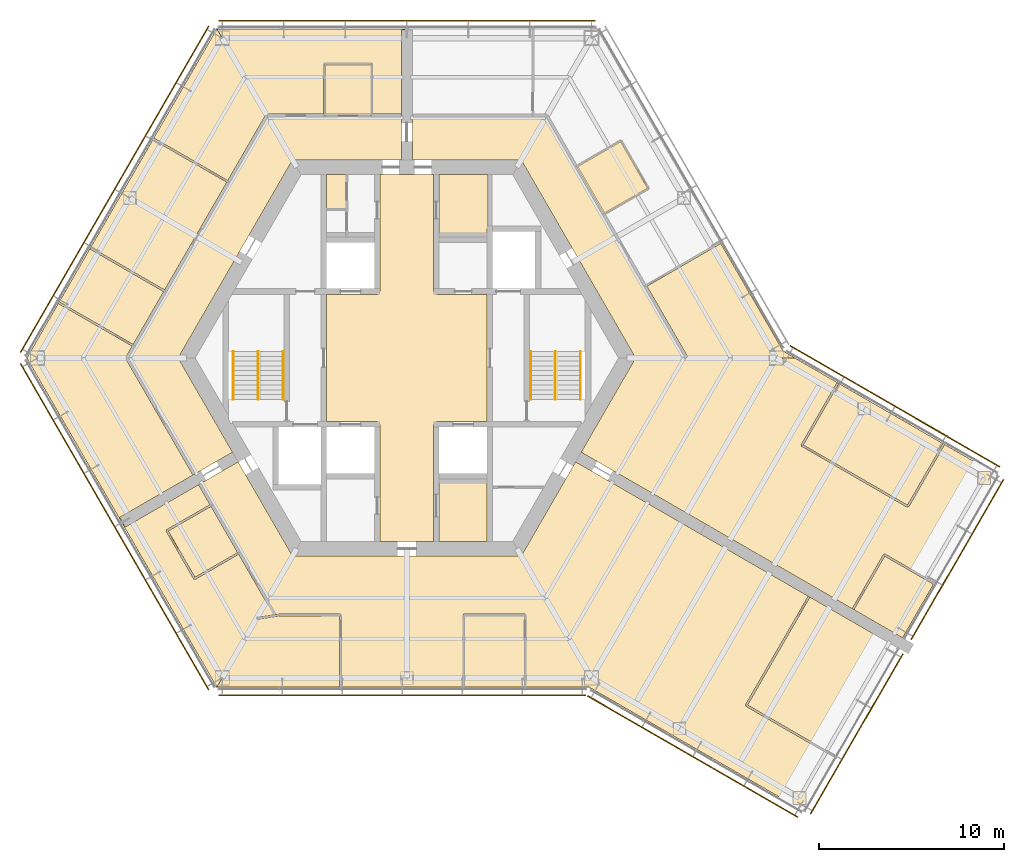
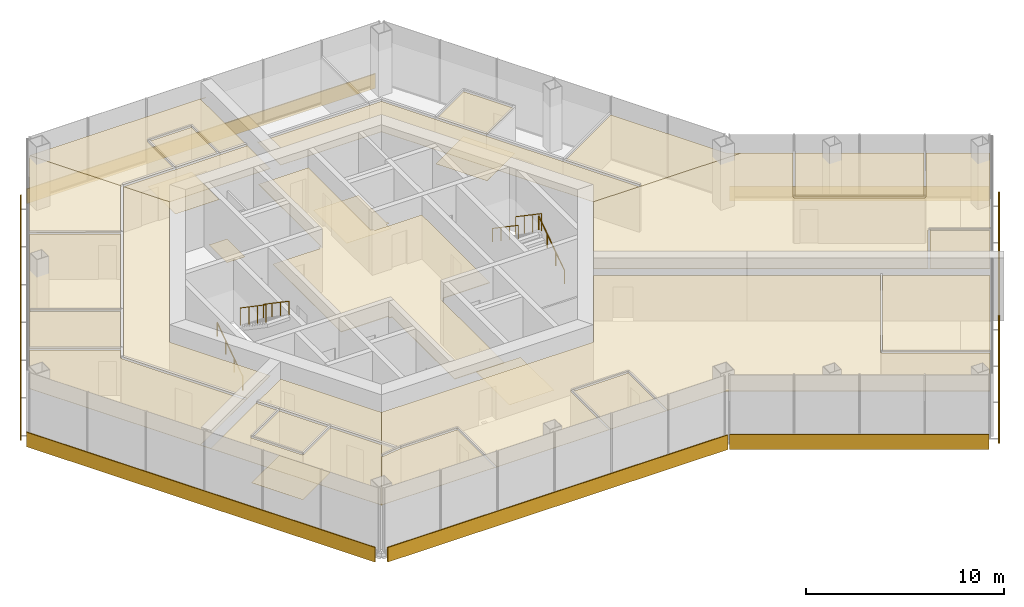
# One storey, part 15 of 16: 28 coverings, 8 shading devices, 6 railings.
"""IFC4 building model written with IfcOpenShell, lengths in metres."""

from ifc_helpers import new_model, si_unit, direction, frame, origin, origin_2d, place, context, subcontext, project, spatial, polyline, rectangle, circle, outline, extrude, material, layer, layer_set, type_object, element, save


model = new_model("IFC4")

# Units and contexts
model_context = context("Model", 3, precision=1e-05, world=origin(), true_north=direction((0.0, 1.0)))
body_context = subcontext(model_context, "Body", "Model", "MODEL_VIEW")
ifc_project = project(units=[si_unit("LENGTHUNIT", "METRE"), si_unit("AREAUNIT", "SQUARE_METRE"), si_unit("VOLUMEUNIT", "CUBIC_METRE"), si_unit("PLANEANGLEUNIT", "RADIAN"), si_unit("MASSUNIT", "GRAM", prefix="KILO")], contexts=[model_context])

# Site, building, storey
site_placement = place(None, origin())
site = spatial("IfcSite", under=ifc_project, at=site_placement, CompositionType="ELEMENT")
building_placement = place(site_placement, origin())
building = spatial("IfcBuilding", under=site, at=building_placement, Name="Kasaneha Research Tower", CompositionType="ELEMENT")
storey_placement = place(building_placement, frame((0.0, 0.0, 259.60009765625)))
storey = spatial("IfcBuildingStorey", under=building, at=storey_placement, Name="L65", CompositionType="ELEMENT", Elevation=259.60009765625)

# Covering
ifc_material_1 = material(Name="Aluminium panel ceiling", Category="aluminium")
ifc_layer_1 = layer(ifc_material_1, 0.0400390625)
ifc_layer_set_1 = layer_set([ifc_layer_1], Name="Lift lobby ceiling 40")
covering_type_1 = type_object("IfcCoveringType", Name="Lift lobby ceiling 40", PredefinedType="CEILING", material=ifc_layer_set_1)
covering_1_placement = place(storey_placement, frame((0.0, 0.0, 2.699951171875)))
element("IfcCovering", 1, at=covering_1_placement, inside=storey, type_object=covering_type_1, Name="Ceiling L65-01", PredefinedType="CEILING", context=body_context, shape_type="SweptSolid", body=[
    extrude(outline(polyline([(1.449951171875, 9.925048828125), (1.449951171875, 3.60009765625), (1.60009765625, 3.60009765625), (1.60009765625, 3.449951171875), (4.35009765625, 3.449951171875), (4.35009765625, -3.449951171875), (1.60009765625, -3.449951171875), (1.60009765625, -3.60009765625), (1.449951171875, -3.60009765625), (1.449951171875, -9.925048828125), (-1.449951171875, -9.925048828125), (-1.449951171875, -3.60009765625), (-1.60009765625, -3.60009765625), (-1.60009765625, -3.449951171875), (-4.35009765625, -3.449951171875), (-4.35009765625, 3.449951171875), (-1.60009765625, 3.449951171875), (-1.60009765625, 3.60009765625), (-1.449951171875, 3.60009765625), (-1.449951171875, 9.925048828125), (1.449951171875, 9.925048828125)])), origin(), (0.0, 0.0, 1.0), 0.0400390625),
])

# Railings
ifc_material_2 = material(Name="Steel", Category="steel")
railing_type_1 = type_object("IfcRailingType", Name="Stair balustrade 1100", PredefinedType="GUARDRAIL", material=ifc_material_2)
for number, where, name in (
    (2, (8.050048828125, 0.35009765625, 2.127197265625), "Stair 1 balustrade L65"),
    (3, (-8.050048828125, 0.35009765625, 2.127197265625), "Stair 2 balustrade L65"),
):
    element("IfcRailing", number, at=place(storey_placement, frame(where)), inside=storey, type_object=railing_type_1, Name=name, PredefinedType="GUARDRAIL", context=body_context, shape_type="SweptSolid", body=[
        extrude(circle(Radius=0.02392578125, at=origin_2d()), frame((0.0, 0.0, 1.076171875), z_axis=(0.0, -0.826240473404, 0.563317565952), x_axis=(1.0, 0.0, 0.0)), (0.0, 0.0, 1.0), 3.14697265625),
        extrude(circle(Radius=0.02099609375, at=origin_2d()), origin(), (0.0, 0.0, 1.0), 1.052001953125),
        extrude(circle(Radius=0.02099609375, at=origin_2d()), frame((0.0, -0.86669921875, 0.5908203125)), (0.0, 0.0, 1.0), 1.052001953125),
        extrude(circle(Radius=0.02099609375, at=origin_2d()), frame((0.0, -1.7333984375, 1.181884765625)), (0.0, 0.0, 1.0), 1.052001953125),
        extrude(circle(Radius=0.02099609375, at=origin_2d()), frame((0.0, -2.60009765625, 1.772705078125)), (0.0, 0.0, 1.0), 1.052001953125),
    ])
ifc_material_3 = material(Name="Steel", Category="steel")
railing_type_2 = type_object("IfcRailingType", Name="Stair handrail 850", PredefinedType="HANDRAIL", material=ifc_material_3)
railing_1_placement = place(storey_placement, frame((9.39990234375, -2.25, 0.17724609375)))
element("IfcRailing", 4, at=railing_1_placement, inside=storey, type_object=railing_type_2, Name="Stair 1 handrail L65", PredefinedType="HANDRAIL", context=body_context, shape_type="SweptSolid", body=[
    extrude(circle(Radius=0.02392578125, at=origin_2d()), frame((0.0, 0.0, 0.826171875), z_axis=(0.0, 0.826240473404, 0.563317565952), x_axis=(-1.0, 0.0, 0.0)), (0.0, 0.0, 1.0), 3.14697265625),
    extrude(circle(Radius=0.02099609375, at=origin_2d()), origin(), (0.0, 0.0, 1.0), 0.802001953125),
    extrude(circle(Radius=0.02099609375, at=origin_2d()), frame((0.0, 0.86669921875, 0.5908203125)), (0.0, 0.0, 1.0), 0.802001953125),
    extrude(circle(Radius=0.02099609375, at=origin_2d()), frame((0.0, 1.7333984375, 1.181884765625)), (0.0, 0.0, 1.0), 0.802001953125),
    extrude(circle(Radius=0.02099609375, at=origin_2d()), frame((0.0, 2.60009765625, 1.772705078125)), (0.0, 0.0, 1.0), 0.802001953125),
])
railing_2_placement = place(storey_placement, frame((6.699951171875, 0.35009765625, 2.127197265625)))
element("IfcRailing", 5, at=railing_2_placement, inside=storey, type_object=railing_type_2, Name="Stair 1 handrail L65", PredefinedType="HANDRAIL", context=body_context, shape_type="SweptSolid", body=[
    extrude(circle(Radius=0.02392578125, at=origin_2d()), frame((0.0, 0.0, 0.826171875), z_axis=(0.0, -0.826240473404, 0.563317565952), x_axis=(1.0, 0.0, 0.0)), (0.0, 0.0, 1.0), 3.14697265625),
    extrude(circle(Radius=0.02099609375, at=origin_2d()), origin(), (0.0, 0.0, 1.0), 0.802001953125),
    extrude(circle(Radius=0.02099609375, at=origin_2d()), frame((0.0, -0.86669921875, 0.5908203125)), (0.0, 0.0, 1.0), 0.802001953125),
    extrude(circle(Radius=0.02099609375, at=origin_2d()), frame((0.0, -1.7333984375, 1.181884765625)), (0.0, 0.0, 1.0), 0.802001953125),
    extrude(circle(Radius=0.02099609375, at=origin_2d()), frame((0.0, -2.60009765625, 1.772705078125)), (0.0, 0.0, 1.0), 0.802001953125),
])
railing_3_placement = place(storey_placement, frame((-9.39990234375, -2.25, 0.17724609375)))
element("IfcRailing", 6, at=railing_3_placement, inside=storey, type_object=railing_type_2, Name="Stair 2 handrail L65", PredefinedType="HANDRAIL", context=body_context, shape_type="SweptSolid", body=[
    extrude(circle(Radius=0.02392578125, at=origin_2d()), frame((0.0, 0.0, 0.826171875), z_axis=(0.0, 0.826240473404, 0.563317565952), x_axis=(-1.0, 0.0, 0.0)), (0.0, 0.0, 1.0), 3.14697265625),
    extrude(circle(Radius=0.02099609375, at=origin_2d()), origin(), (0.0, 0.0, 1.0), 0.802001953125),
    extrude(circle(Radius=0.02099609375, at=origin_2d()), frame((0.0, 0.86669921875, 0.5908203125)), (0.0, 0.0, 1.0), 0.802001953125),
    extrude(circle(Radius=0.02099609375, at=origin_2d()), frame((0.0, 1.7333984375, 1.181884765625)), (0.0, 0.0, 1.0), 0.802001953125),
    extrude(circle(Radius=0.02099609375, at=origin_2d()), frame((0.0, 2.60009765625, 1.772705078125)), (0.0, 0.0, 1.0), 0.802001953125),
])
railing_4_placement = place(storey_placement, frame((-6.699951171875, 0.35009765625, 2.127197265625)))
element("IfcRailing", 7, at=railing_4_placement, inside=storey, type_object=railing_type_2, Name="Stair 2 handrail L65", PredefinedType="HANDRAIL", context=body_context, shape_type="SweptSolid", body=[
    extrude(circle(Radius=0.02392578125, at=origin_2d()), frame((0.0, 0.0, 0.826171875), z_axis=(0.0, -0.826240473404, 0.563317565952), x_axis=(1.0, 0.0, 0.0)), (0.0, 0.0, 1.0), 3.14697265625),
    extrude(circle(Radius=0.02099609375, at=origin_2d()), origin(), (0.0, 0.0, 1.0), 0.802001953125),
    extrude(circle(Radius=0.02099609375, at=origin_2d()), frame((0.0, -0.86669921875, 0.5908203125)), (0.0, 0.0, 1.0), 0.802001953125),
    extrude(circle(Radius=0.02099609375, at=origin_2d()), frame((0.0, -1.7333984375, 1.181884765625)), (0.0, 0.0, 1.0), 0.802001953125),
    extrude(circle(Radius=0.02099609375, at=origin_2d()), frame((0.0, -2.60009765625, 1.772705078125)), (0.0, 0.0, 1.0), 0.802001953125),
])

# Coverings
ifc_material_4 = material(Name="Gypsum ceiling board", Category="gypsum")
ifc_layer_2 = layer(ifc_material_4, 0.02001953125)
ifc_layer_set_2 = layer_set([ifc_layer_2], Name="Suspended ceiling 20")
covering_type_2 = type_object("IfcCoveringType", Name="Suspended ceiling 20", PredefinedType="CEILING", material=ifc_layer_set_2)
covering_2_placement = place(storey_placement, frame((0.0, 0.0, 2.7998046875)))
element("IfcCovering", 8, at=covering_2_placement, inside=storey, type_object=covering_type_2, Name="Ceiling L65-25", PredefinedType="CEILING", context=body_context, shape_type="SweptSolid", body=[
    extrude(outline(polyline([(6.192138671875, 10.72509765625), (0.300048828125, 10.72509765625), (0.300048828125, 11.72509765625), (0.300048828125, 12.72509765625), (0.300048828125, 13.125), (0.320068359375, 13.125), (0.320068359375, 13.050048828125), (6.826416015625, 13.050048828125), (6.8359375, 13.050048828125), (7.534423828125, 13.050048828125), (9.103759765625, 10.33154296875), (9.103759765625, 10.33154296875), (10.599365234375, 7.7412109375), (10.599365234375, 7.7412109375), (12.842529296875, 3.856201171875), (12.842529296875, 3.856201171875), (15.06884765625, 0.0), (12.38427734375, 0.0), (6.192138671875, 10.72509765625)])), origin(), (0.0, 0.0, 1.0), 0.02001953125),
])
covering_3_placement = place(storey_placement, frame((0.0, 0.0, 2.7998046875)))
element("IfcCovering", 9, at=covering_3_placement, inside=storey, type_object=covering_type_2, Name="Ceiling L65-26", PredefinedType="CEILING", context=body_context, shape_type="SweptSolid", body=[
    extrude(outline(polyline([(11.5732421875, 11.70458984375), (13.023193359375, 9.193359375), (10.704345703125, 7.859619140625), (9.2587890625, 10.363525390625), (11.5732421875, 11.70458984375)])), origin(), (0.0, 0.0, 1.0), 0.02001953125),
])
covering_4_placement = place(storey_placement, frame((0.0, 0.0, 2.7998046875)))
element("IfcCovering", 10, at=covering_4_placement, inside=storey, type_object=covering_type_2, Name="Ceiling L65-27", PredefinedType="CEILING", context=body_context, shape_type="SweptSolid", body=[
    extrude(outline(polyline([(18.647705078125, 3.365966796875), (20.374755859375, 0.374755859375), (21.006103515625, 0.010498046875), (21.011962890625, -0.000244140625), (21.006591796875, -0.010009765625), (15.151123046875, -0.010986328125), (15.142333984375, -0.00048828125), (15.15576171875, 0.000244140625), (15.144287109375, 0.020263671875), (15.208740234375, 0.0576171875), (12.99755859375, 3.887939453125), (16.99658203125, 6.201904296875), (18.63134765625, 3.370361328125), (18.640625, 3.37158203125), (18.647705078125, 3.365966796875)])), origin(), (0.0, 0.0, 1.0), 0.02001953125),
])
covering_5_placement = place(storey_placement, frame((0.0, 0.0, 2.7998046875)))
element("IfcCovering", 11, at=covering_5_placement, inside=storey, type_object=covering_type_2, Name="Ceiling L65-30", PredefinedType="CEILING", context=body_context, shape_type="SweptSolid", body=[
    extrude(outline(polyline([(-0.300048828125, 11.72509765625), (-0.300048828125, 10.72509765625), (-6.192138671875, 10.72509765625), (-7.534423828125, 13.050048828125), (-4.469970703125, 13.050048828125), (-4.46044921875, 13.050048828125), (-1.904541015625, 13.050048828125), (-1.89501953125, 13.050048828125), (-0.320068359375, 13.050048828125), (-0.320068359375, 13.125), (-0.300048828125, 13.125), (-0.300048828125, 12.72509765625), (-0.300048828125, 11.72509765625)])), origin(), (0.0, 0.0, 1.0), 0.02001953125),
])
covering_6_placement = place(storey_placement, frame((0.0, 0.0, 2.7998046875)))
element("IfcCovering", 12, at=covering_6_placement, inside=storey, type_object=covering_type_2, Name="Ceiling L65-31", PredefinedType="CEILING", context=body_context, shape_type="SweptSolid", body=[
    extrude(outline(polyline([(-1.954345703125, 13.199951171875), (-4.41064453125, 13.199951171875), (-4.4150390625, 15.875), (-1.9501953125, 15.875), (-1.954345703125, 13.199951171875)])), origin(), (0.0, 0.0, 1.0), 0.02001953125),
])
covering_7_placement = place(storey_placement, frame((0.0, 0.0, 2.7998046875)))
element("IfcCovering", 13, at=covering_7_placement, inside=storey, type_object=covering_type_2, Name="Ceiling L65-32", PredefinedType="CEILING", context=body_context, shape_type="SweptSolid", body=[
    extrude(outline(polyline([(-0.320068359375, 13.12548828125), (-0.320068359375, 13.199951171875), (-1.8544921875, 13.199951171875), (-1.85009765625, 15.9248046875), (-1.899658203125, 15.925048828125), (-1.899658203125, 15.925537109375), (-1.89990234375, 15.925537109375), (-1.89990234375, 15.97509765625), (-4.465087890625, 15.97509765625), (-4.465087890625, 15.925537109375), (-4.465087890625, 15.925048828125), (-4.514892578125, 15.9248046875), (-4.510498046875, 13.199951171875), (-7.5546875, 13.199951171875), (-7.5546875, 13.12548828125), (-7.577880859375, 13.12548828125), (-10.28857421875, 17.820556640625), (0.0, 17.820556640625), (0.0, 17.7705078125), (-0.300048828125, 17.7705078125), (-0.300048828125, 17.7705078125), (-0.300048828125, 13.12548828125), (-0.320068359375, 13.12548828125)])), origin(), (0.0, 0.0, 1.0), 0.02001953125),
])
covering_8_placement = place(storey_placement, frame((0.0, 0.0, 2.7998046875)))
element("IfcCovering", 14, at=covering_8_placement, inside=storey, type_object=covering_type_2, Name="Ceiling L65-33", PredefinedType="CEILING", context=body_context, shape_type="SweptSolid", body=[
    extrude(outline(polyline([(-12.38427734375, 0.0), (-9.438232421875, -5.102783203125), (-10.30419921875, -5.602783203125), (-10.30419921875, -5.602783203125), (-11.170166015625, -6.102783203125), (-11.170166015625, -6.102783203125), (-11.5166015625, -6.302734375), (-11.526611328125, -6.285400390625), (-11.461669921875, -6.247802734375), (-15.06884765625, 0.0), (-14.71484375, 0.613037109375), (-14.71484375, 0.613037109375), (-13.0068359375, 3.5712890625), (-13.0068359375, 3.571533203125), (-9.596435546875, 9.478515625), (-9.596435546875, 9.478515625), (-7.534423828125, 13.050048828125), (-7.534423828125, 13.050048828125), (-6.192138671875, 10.72509765625), (-12.38427734375, 0.0)])), origin(), (0.0, 0.0, 1.0), 0.02001953125),
])
covering_9_placement = place(storey_placement, frame((0.0, 0.0, 2.7998046875)))
element("IfcCovering", 15, at=covering_9_placement, inside=storey, type_object=covering_type_2, Name="Ceiling L65-34", PredefinedType="CEILING", context=body_context, shape_type="SweptSolid", body=[
    extrude(outline(polyline([(-7.577392578125, 13.12548828125), (-7.58935546875, 13.10498046875), (-7.654296875, 13.142578125), (-9.696533203125, 9.60498046875), (-13.7001953125, 11.911376953125), (-10.288330078125, 17.821044921875), (-7.577392578125, 13.12548828125)])), origin(), (0.0, 0.0, 1.0), 0.02001953125),
])
covering_10_placement = place(storey_placement, frame((0.0, 0.0, 2.7998046875)))
element("IfcCovering", 16, at=covering_10_placement, inside=storey, type_object=covering_type_2, Name="Ceiling L65-35", PredefinedType="CEILING", context=body_context, shape_type="SweptSolid", body=[
    extrude(outline(polyline([(-17.12353515625, 5.9423828125), (-17.1484375, 5.899169921875), (-13.16650390625, 3.594970703125), (-14.81982421875, 0.7314453125), (-18.823486328125, 3.037841796875), (-17.140869140625, 5.952392578125), (-17.12353515625, 5.9423828125)])), origin(), (0.0, 0.0, 1.0), 0.02001953125),
])
covering_11_placement = place(storey_placement, frame((0.0, 0.0, 2.7998046875)))
element("IfcCovering", 17, at=covering_11_placement, inside=storey, type_object=covering_type_2, Name="Ceiling L65-36", PredefinedType="CEILING", context=body_context, shape_type="SweptSolid", body=[
    extrude(outline(polyline([(-15.539794921875, -8.62548828125), (-15.3896484375, -8.88525390625), (-15.43310546875, -8.91015625), (-20.577392578125, 0.0), (-18.87353515625, 2.951171875), (-14.869873046875, 0.644775390625), (-15.220458984375, 0.03759765625), (-15.15576171875, 0.000244140625), (-15.156005859375, -0.000244140625), (-15.15576171875, -0.000244140625), (-15.220458984375, -0.03759765625), (-11.591552734375, -6.322998046875), (-11.527099609375, -6.28564453125), (-11.51708984375, -6.302978515625), (-15.539794921875, -8.62548828125), (-15.539794921875, -8.62548828125), (-15.539794921875, -8.62548828125)])), origin(), (0.0, 0.0, 1.0), 0.02001953125),
])
covering_12_placement = place(storey_placement, frame((0.0, 0.0, 2.7998046875)))
element("IfcCovering", 18, at=covering_12_placement, inside=storey, type_object=covering_type_2, Name="Ceiling L65-37", PredefinedType="CEILING", context=body_context, shape_type="SweptSolid", body=[
    extrude(outline(polyline([(-17.140380859375, 5.952880859375), (-13.750244140625, 11.82470703125), (-9.74658203125, 9.5185546875), (-13.116455078125, 3.681640625), (-17.098388671875, 5.985595703125), (-17.123291015625, 5.94287109375), (-17.140380859375, 5.952880859375)])), origin(), (0.0, 0.0, 1.0), 0.02001953125),
])
covering_13_placement = place(storey_placement, frame((0.0, 0.0, 2.7998046875)))
element("IfcCovering", 19, at=covering_13_placement, inside=storey, type_object=covering_type_2, Name="Ceiling L65-38", PredefinedType="CEILING", context=body_context, shape_type="SweptSolid", body=[
    extrude(outline(polyline([(-10.8701171875, -6.622314453125), (-10.004150390625, -6.122314453125), (-10.004150390625, -6.122314453125), (-9.13818359375, -5.622314453125), (-6.192138671875, -10.72509765625), (-7.534423828125, -13.050048828125), (-9.00390625, -10.5048828125), (-9.00390625, -10.5048828125), (-10.49951171875, -7.91455078125), (-10.499267578125, -7.91455078125), (-11.1416015625, -6.802001953125), (-11.20654296875, -6.839599609375), (-11.216552734375, -6.822265625), (-10.8701171875, -6.622314453125), (-10.8701171875, -6.622314453125)])), origin(), (0.0, 0.0, 1.0), 0.02001953125),
])
covering_14_placement = place(storey_placement, frame((0.0, 0.0, 2.7998046875)))
element("IfcCovering", 20, at=covering_14_placement, inside=storey, type_object=covering_type_2, Name="Ceiling L65-39", PredefinedType="CEILING", context=body_context, shape_type="SweptSolid", body=[
    extrude(outline(polyline([(-9.15869140625, -10.53662109375), (-11.47314453125, -11.8779296875), (-12.923095703125, -9.366455078125), (-10.604248046875, -8.03271484375), (-9.15869140625, -10.53662109375)])), origin(), (0.0, 0.0, 1.0), 0.02001953125),
])
covering_15_placement = place(storey_placement, frame((0.0, 0.0, 2.7998046875)))
element("IfcCovering", 21, at=covering_15_placement, inside=storey, type_object=covering_type_2, Name="Ceiling L65-40", PredefinedType="CEILING", context=body_context, shape_type="SweptSolid", body=[
    extrude(outline(polyline([(-11.20703125, -6.83984375), (-11.271484375, -6.877197265625), (-10.654296875, -7.946044921875), (-13.016357421875, -9.3046875), (-12.99169921875, -9.347900390625), (-12.991943359375, -9.34814453125), (-12.991943359375, -9.348388671875), (-13.034912109375, -9.373046875), (-11.534912109375, -11.97119140625), (-11.491943359375, -11.946533203125), (-11.491943359375, -11.946533203125), (-11.491455078125, -11.9462890625), (-11.46630859375, -11.989501953125), (-9.108642578125, -10.623291015625), (-7.654296875, -13.142578125), (-7.589599609375, -13.105224609375), (-7.577880859375, -13.12548828125), (-8.109619140625, -14.046142578125), (-8.12353515625, -14.048095703125), (-8.120849609375, -14.06591796875), (-10.28857421875, -17.820556640625), (-15.43310546875, -8.91015625), (-15.3896484375, -8.88525390625), (-15.23974609375, -9.14501953125), (-15.23974609375, -9.14501953125), (-15.23974609375, -9.14501953125), (-11.217041015625, -6.822509765625), (-11.20703125, -6.83984375)])), origin(), (0.0, 0.0, 1.0), 0.02001953125),
])
covering_16_placement = place(storey_placement, frame((0.0, 0.0, 2.7998046875)))
element("IfcCovering", 22, at=covering_16_placement, inside=storey, type_object=covering_type_2, Name="Ceiling L65-41", PredefinedType="CEILING", context=body_context, shape_type="SweptSolid", body=[
    extrude(outline(polyline([(29.03173828125, -4.63720703125), (27.106689453125, -7.97119140625), (21.46044921875, -4.71142578125), (23.37548828125, -1.39453125), (23.332275390625, -1.36962890625), (23.34228515625, -1.352294921875), (29.03173828125, -4.63720703125)])), origin(), (0.0, 0.0, 1.0), 0.02001953125),
])
covering_17_placement = place(storey_placement, frame((0.0, 0.0, 2.7998046875)))
element("IfcCovering", 23, at=covering_17_placement, inside=storey, type_object=covering_type_2, Name="Ceiling L65-42", PredefinedType="CEILING", context=body_context, shape_type="SweptSolid", body=[
    extrude(outline(polyline([(24.15673828125, -13.600341796875), (24.166748046875, -13.5830078125), (24.2099609375, -13.608154296875), (25.875, -10.724365234375), (28.516357421875, -12.249267578125), (26.84130859375, -15.150390625), (24.15673828125, -13.600341796875)])), origin(), (0.0, 0.0, 1.0), 0.02001953125),
])
covering_18_placement = place(storey_placement, frame((0.0, 0.0, 2.7998046875)))
element("IfcCovering", 24, at=covering_18_placement, inside=storey, type_object=covering_type_2, Name="Ceiling L65-43", PredefinedType="CEILING", context=body_context, shape_type="SweptSolid", body=[
    extrude(outline(polyline([(10.30419921875, -5.602783203125), (10.30419921875, -5.602783203125), (9.438232421875, -5.102783203125), (12.38427734375, 0.0), (15.06884765625, 0.0), (15.078857421875, -0.017578125), (15.109375, 0.0), (21.0, 0.0), (23.341796875, -1.35205078125), (23.331787109375, -1.369384765625), (23.288818359375, -1.344482421875), (21.348876953125, -4.704833984375), (21.39208984375, -4.729736328125), (21.391845703125, -4.72998046875), (21.39208984375, -4.730224609375), (21.3671875, -4.773193359375), (27.10009765625, -8.0830078125), (27.125, -8.03955078125), (27.168212890625, -8.064697265625), (29.1181640625, -4.68701171875), (31.94140625, -6.31689453125), (28.56640625, -12.16259765625), (25.881591796875, -10.61279296875), (25.85693359375, -10.65576171875), (25.8564453125, -10.655517578125), (25.8564453125, -10.65576171875), (25.8134765625, -10.631103515625), (24.123291015625, -13.55810546875), (24.166259765625, -13.582763671875), (24.15625, -13.60009765625), (11.170166015625, -6.102783203125), (11.170166015625, -6.102783203125), (10.30419921875, -5.602783203125)])), origin(), (0.0, 0.0, 1.0), 0.02001953125),
])
covering_19_placement = place(storey_placement, frame((0.0, 0.0, 2.7998046875)))
element("IfcCovering", 25, at=covering_19_placement, inside=storey, type_object=covering_type_2, Name="Ceiling L65-44", PredefinedType="CEILING", context=body_context, shape_type="SweptSolid", body=[
    extrude(outline(polyline([(23.141357421875, -21.55908203125), (23.1240234375, -21.549072265625), (23.14892578125, -21.505615234375), (18.446533203125, -18.790771484375), (21.8115234375, -12.96240234375), (21.768310546875, -12.9375), (21.7783203125, -12.920166015625), (24.764404296875, -14.64404296875), (26.541259765625, -15.670166015625), (23.141357421875, -21.55908203125)])), origin(), (0.0, 0.0, 1.0), 0.02001953125),
])
covering_20_placement = place(storey_placement, frame((0.0, 0.0, 2.7998046875)))
element("IfcCovering", 26, at=covering_20_placement, inside=storey, type_object=covering_type_2, Name="Ceiling L65-45", PredefinedType="CEILING", context=body_context, shape_type="SweptSolid", body=[
    extrude(outline(polyline([(-8.12109375, -14.065185546875), (-8.120849609375, -14.066650390625), (-8.140869140625, -14.101318359375), (-8.1162109375, -14.09765625), (-8.10888671875, -14.14697265625), (-6.911865234375, -13.969482421875), (-3.634521484375, -13.970458984375), (-3.634521484375, -17.800537109375), (-3.58447265625, -17.800537109375), (-3.58447265625, -17.820556640625), (-10.2890625, -17.820556640625), (-8.12109375, -14.065185546875)])), origin(), (0.0, 0.0, 1.0), 0.02001953125),
])
covering_21_placement = place(storey_placement, frame((0.0, 0.0, 2.7998046875)))
element("IfcCovering", 27, at=covering_21_placement, inside=storey, type_object=covering_type_2, Name="Ceiling L65-46", PredefinedType="CEILING", context=body_context, shape_type="SweptSolid", body=[
    extrude(outline(polyline([(3.077392578125, -17.820556640625), (3.077392578125, -17.800537109375), (3.12744140625, -17.800537109375), (3.12744140625, -13.970458984375), (6.3583984375, -13.970458984375), (6.3583984375, -17.800537109375), (6.408203125, -17.800537109375), (6.408203125, -17.820556640625), (3.077392578125, -17.820556640625)])), origin(), (0.0, 0.0, 1.0), 0.02001953125),
])
covering_22_placement = place(storey_placement, frame((0.0, 0.0, 2.7998046875)))
element("IfcCovering", 28, at=covering_22_placement, inside=storey, type_object=covering_type_2, Name="Ceiling L65-47", PredefinedType="CEILING", context=body_context, shape_type="SweptSolid", body=[
    extrude(outline(polyline([(10.004150390625, -6.122314453125), (10.004150390625, -6.122314453125), (10.8701171875, -6.622314453125), (10.8701171875, -6.622314453125), (16.312744140625, -9.7646484375), (21.77783203125, -12.919921875), (21.767822265625, -12.937255859375), (21.724853515625, -12.912353515625), (18.3349609375, -18.783935546875), (18.3779296875, -18.808837890625), (18.377685546875, -18.80908203125), (18.378173828125, -18.809326171875), (18.353271484375, -18.852294921875), (23.09912109375, -21.59228515625), (23.123779296875, -21.549560546875), (23.14111328125, -21.5595703125), (21.44140625, -24.50341796875), (9.865966796875, -17.820556640625), (6.40869140625, -17.820556640625), (6.40869140625, -17.800537109375), (6.458251953125, -17.800537109375), (6.458251953125, -13.92041015625), (6.408447265625, -13.92041015625), (6.408447265625, -13.920166015625), (6.408203125, -13.920166015625), (6.408203125, -13.87060546875), (3.077392578125, -13.87060546875), (3.077392578125, -13.920166015625), (3.076904296875, -13.920166015625), (3.076904296875, -13.92041015625), (3.02734375, -13.92041015625), (3.02734375, -17.800537109375), (3.076904296875, -17.800537109375), (3.076904296875, -17.820556640625), (-3.583984375, -17.820556640625), (-3.583984375, -17.800537109375), (-3.534423828125, -17.800537109375), (-3.534423828125, -13.92041015625), (-3.584228515625, -13.92041015625), (-3.584228515625, -13.920166015625), (-3.58447265625, -13.920166015625), (-3.58447265625, -13.87060546875), (-6.91552734375, -13.869384765625), (-6.91552734375, -13.91943359375), (-6.9228515625, -13.8701171875), (-8.10888671875, -14.0458984375), (-7.5537109375, -13.08447265625), (-7.5244140625, -13.0673828125), (-7.5341796875, -13.050537109375), (-6.191650390625, -10.72509765625), (6.192138671875, -10.72509765625), (9.13818359375, -5.622314453125), (10.004150390625, -6.122314453125)])), origin(), (0.0, 0.0, 1.0), 0.02001953125),
])

# Shading devices
ifc_material_5 = material(Name="Terracotta", Category="masonry")
ifc_layer_3 = layer(ifc_material_5, 0.06005859375)
ifc_layer_set_3 = layer_set([ifc_layer_3], Name="Terracotta baguette screen")
shading_device_type = type_object("IfcShadingDeviceType", Name="Terracotta baguette screen", PredefinedType="USERDEFINED", material=ifc_layer_set_3)
for number, where, z_axis, x_axis, name in (
    (29, (0.0, 18.2705078125, -0.449951171875), (0.0, 0.0, 1.0), (-1.0, 0.0, 0.0), "Baguette screen L65 02"),
    (30, (-15.82275390625, 9.13525390625, -0.449951171875), (0.0, 0.0, 1.0), (-0.499999995722, -0.866025406254, 0.0), "Baguette screen L65 03"),
    (31, (-15.82275390625, -9.13525390625, -0.449951171875), (0.0, 0.0, 1.0), (0.499999995722, -0.866025406254, 0.0), "Baguette screen L65 04"),
):
    element("IfcShadingDevice", number, at=place(storey_placement, frame(where, z_axis=z_axis, x_axis=x_axis)), inside=storey, type_object=shading_device_type, Name=name, ObjectType="TERRACOTTA BAGUETTE SCREEN", PredefinedType="USERDEFINED", context=body_context, shape_type="SweptSolid", body=[
        extrude(rectangle(XDim=20.392822265625, YDim=0.06005859375, at=origin_2d()), origin(), (0.0, 0.0, 1.0), 0.89990234375),
    ])
shading_device_1_placement = place(storey_placement, frame((-0.253662109375, -18.2705078125, -0.449951171875), z_axis=(0.0, 0.0, 1.0), x_axis=(1.0, 0.0, 0.0)))
element("IfcShadingDevice", 32, at=shading_device_1_placement, inside=storey, type_object=shading_device_type, Name="Baguette screen L65 05", ObjectType="TERRACOTTA BAGUETTE SCREEN", PredefinedType="USERDEFINED", context=body_context, shape_type="SweptSolid", body=[
    extrude(rectangle(XDim=19.8857421875, YDim=0.06005859375, at=origin_2d()), origin(), (0.0, 0.0, 1.0), 0.89990234375),
])
shading_device_2_placement = place(storey_placement, frame((15.483642578125, -21.58349609375, -0.449951171875), z_axis=(0.0, 0.0, 1.0), x_axis=(0.866025411464, -0.499999986699, 0.0)))
element("IfcShadingDevice", 33, at=shading_device_2_placement, inside=storey, type_object=shading_device_type, Name="Baguette screen L65 06", ObjectType="TERRACOTTA BAGUETTE SCREEN", PredefinedType="USERDEFINED", context=body_context, shape_type="SweptSolid", body=[
    extrude(rectangle(XDim=13.13916015625, YDim=0.06005859375, at=origin_2d()), origin(), (0.0, 0.0, 1.0), 0.89990234375),
])
for number, where, z_axis, x_axis, name in (
    (34, (24.35595703125, -20.35498046875, -0.449951171875), (0.0, 0.0, 1.0), (0.500000011442, 0.866025397178, 0.0), "Baguette screen L65 07"),
    (35, (29.80615234375, -10.91552734375, -0.449951171875), (0.0, 0.0, 1.0), (0.500000011442, 0.866025397178, 0.0), "Baguette screen L65 08"),
):
    element("IfcShadingDevice", number, at=place(storey_placement, frame(where, z_axis=z_axis, x_axis=x_axis)), inside=storey, type_object=shading_device_type, Name=name, ObjectType="TERRACOTTA BAGUETTE SCREEN", PredefinedType="USERDEFINED", context=body_context, shape_type="SweptSolid", body=[
        extrude(rectangle(XDim=10.0, YDim=0.06005859375, at=origin_2d()), origin(), (0.0, 0.0, 1.0), 0.89990234375),
    ])
shading_device_3_placement = place(storey_placement, frame((26.43359375, -2.617431640625, -0.449951171875), z_axis=(0.0, 0.0, 1.0), x_axis=(-0.866025411464, 0.499999986699, 0.0)))
element("IfcShadingDevice", 36, at=shading_device_3_placement, inside=storey, type_object=shading_device_type, Name="Baguette screen L65 09", ObjectType="TERRACOTTA BAGUETTE SCREEN", PredefinedType="USERDEFINED", context=body_context, shape_type="SweptSolid", body=[
    extrude(rectangle(XDim=13.13916015625, YDim=0.06005859375, at=origin_2d()), origin(), (0.0, 0.0, 1.0), 0.89990234375),
])

# Coverings
ifc_material_6 = material(Name="Vinyl sheet flooring", Category="plastic")
ifc_layer_4 = layer(ifc_material_6, 0.0048828125)
ifc_layer_set_4 = layer_set([ifc_layer_4], Name="Wet room sheet flooring 5")
covering_type_3 = type_object("IfcCoveringType", Name="Wet room sheet flooring 5", PredefinedType="FLOORING", material=ifc_layer_set_4)
covering_23_placement = place(storey_placement, origin())
element("IfcCovering", 37, at=covering_23_placement, inside=storey, type_object=covering_type_3, Name="Floor finish L65-07", PredefinedType="FLOORING", context=body_context, shape_type="SweptSolid", body=[
    extrude(outline(polyline([(-4.35009765625, 8.10009765625), (-4.35009765625, 9.925048828125), (-3.300048828125, 9.925048828125), (-3.300048828125, 8.10009765625), (-4.35009765625, 8.10009765625)])), origin(), (0.0, 0.0, 1.0), 0.0048828125),
])
covering_24_placement = place(storey_placement, origin())
element("IfcCovering", 38, at=covering_24_placement, inside=storey, type_object=covering_type_3, Name="Floor finish L65-09", PredefinedType="FLOORING", context=body_context, shape_type="SweptSolid", body=[
    extrude(outline(polyline([(4.39892578125, 9.925048828125), (4.39892578125, 7.14990234375), (4.39892578125, 7.14990234375), (4.39892578125, 7.14990234375), (4.39892578125, 7.149658203125), (4.399169921875, 7.149658203125), (4.399169921875, 7.1494140625), (4.399169921875, 7.1494140625), (4.399169921875, 7.1494140625), (4.399169921875, 7.149169921875), (4.3994140625, 7.149169921875), (4.3994140625, 7.149169921875), (4.3994140625, 7.149169921875), (4.399658203125, 7.149169921875), (4.399658203125, 7.14892578125), (4.39990234375, 7.14892578125), (4.39990234375, 7.14892578125), (4.39990234375, 7.14892578125), (4.5, 7.14892578125), (4.5, 7.0), (4.35009765625, 7.0), (4.35009765625, 6.550048828125), (1.75, 6.550048828125), (1.75, 9.925048828125), (4.39892578125, 9.925048828125)])), origin(), (0.0, 0.0, 1.0), 0.0048828125),
])
covering_25_placement = place(storey_placement, origin())
element("IfcCovering", 39, at=covering_25_placement, inside=storey, type_object=covering_type_3, Name="Floor finish L65-11", PredefinedType="FLOORING", context=body_context, shape_type="SweptSolid", body=[
    extrude(outline(polyline([(1.75, -9.925048828125), (1.75, -6.550048828125), (4.35009765625, -6.550048828125), (4.35009765625, -9.925048828125), (1.75, -9.925048828125)])), origin(), (0.0, 0.0, 1.0), 0.0048828125),
])
covering_26_placement = place(storey_placement, origin())
element("IfcCovering", 40, at=covering_26_placement, inside=storey, type_object=covering_type_3, Name="Floor finish L65-26", PredefinedType="FLOORING", context=body_context, shape_type="SweptSolid", body=[
    extrude(outline(polyline([(11.591552734375, 11.77294921875), (13.091552734375, 9.175048828125), (10.66650390625, 7.77490234375), (9.16650390625, 10.373046875), (11.591552734375, 11.77294921875)])), origin(), (0.0, 0.0, 1.0), 0.0048828125),
])
covering_27_placement = place(storey_placement, origin())
element("IfcCovering", 41, at=covering_27_placement, inside=storey, type_object=covering_type_3, Name="Floor finish L65-31", PredefinedType="FLOORING", context=body_context, shape_type="SweptSolid", body=[
    extrude(outline(polyline([(-4.465087890625, 15.925048828125), (-1.89990234375, 15.925048828125), (-1.89990234375, 13.125), (-4.465087890625, 13.125), (-4.465087890625, 15.925048828125)])), origin(), (0.0, 0.0, 1.0), 0.0048828125),
])
covering_28_placement = place(storey_placement, origin())
element("IfcCovering", 42, at=covering_28_placement, inside=storey, type_object=covering_type_3, Name="Floor finish L65-39", PredefinedType="FLOORING", context=body_context, shape_type="SweptSolid", body=[
    extrude(outline(polyline([(-11.491455078125, -11.9462890625), (-12.991455078125, -9.34814453125), (-10.566650390625, -7.9482421875), (-9.066650390625, -10.546142578125), (-11.491455078125, -11.9462890625)])), origin(), (0.0, 0.0, 1.0), 0.0048828125),
])

save(model, "model.ifc")
